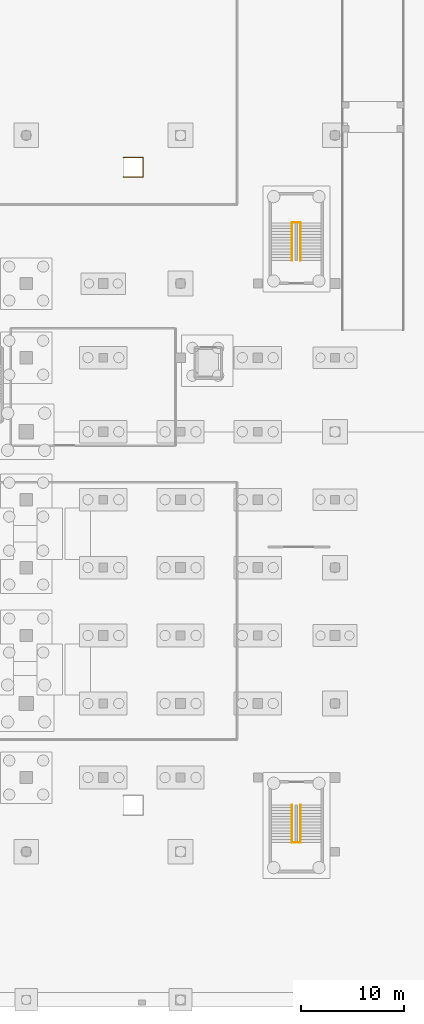
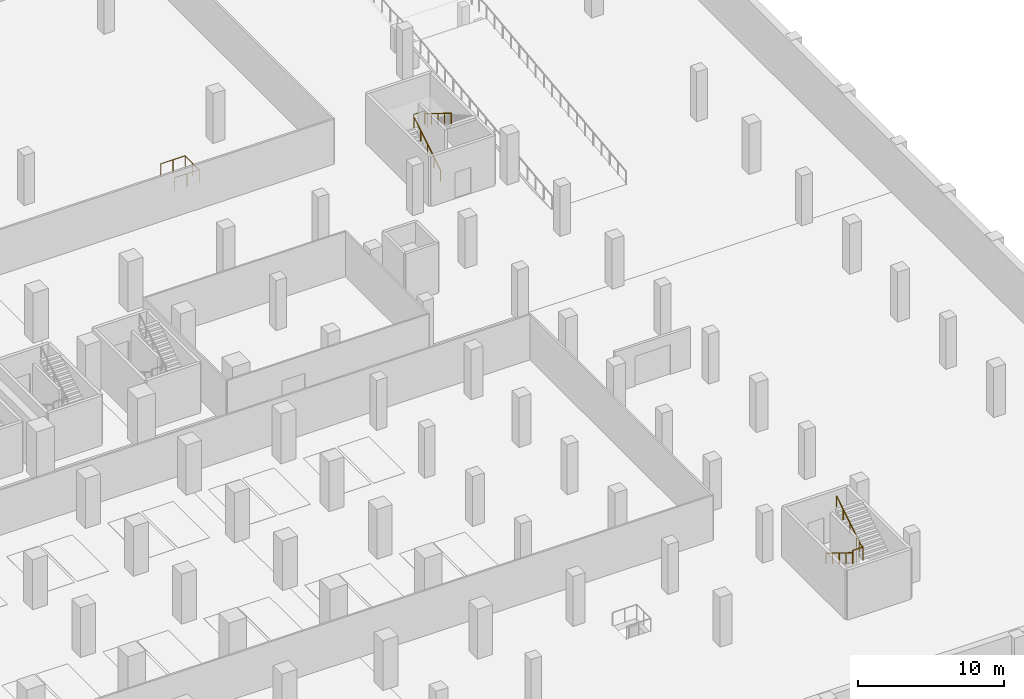
# One storey, part 24 of 26: 7 railings.
"""IFC4 building model written with IfcOpenShell, lengths in metres."""

from ifc_helpers import new_model, si_unit, direction, frame, origin, origin_2d, place, context, subcontext, project, spatial, circle, extrude, material, layer, layer_set, type_object, element, save


model = new_model("IFC4")

# Units and contexts
model_context = context("Model", 3, precision=1e-05, world=origin(), true_north=direction((0.0, 1.0)))
body_context = subcontext(model_context, "Body", "Model", "MODEL_VIEW")
ifc_project = project(units=[si_unit("LENGTHUNIT", "METRE"), si_unit("AREAUNIT", "SQUARE_METRE"), si_unit("VOLUMEUNIT", "CUBIC_METRE"), si_unit("PLANEANGLEUNIT", "RADIAN"), si_unit("MASSUNIT", "GRAM", prefix="KILO")], contexts=[model_context])

# Site, building, storey
site_placement = place(None, origin())
site = spatial("IfcSite", under=ifc_project, at=site_placement, CompositionType="ELEMENT")
building_placement = place(site_placement, origin())
building = spatial("IfcBuilding", under=site, at=building_placement, Name="Akrevak Sports Hall", CompositionType="ELEMENT")
storey_placement = place(building_placement, frame((0.0, 0.0, -9.0)))
storey = spatial("IfcBuildingStorey", under=building, at=storey_placement, Name="B02", CompositionType="ELEMENT", Elevation=-9.0)

# Railings
ifc_material_1 = material(Name="Painted Architectural Balustrade Steel", Category="steel")
ifc_layer_1 = layer(ifc_material_1, 0.06005859375, Name="Painted Architectural Balustrade Steel")
ifc_layer_set_1 = layer_set([ifc_layer_1], Name="Painted Architectural Balustrade Steel")
railing_type_1 = type_object("IfcRailingType", Name="ARC-RL-GRD-1120", PredefinedType="GUARDRAIL", material=ifc_layer_set_1)
railing_1_placement = place(storey_placement, frame((141.330078125, 15.280029296875, 2.25)))
element("IfcRailing", 1, at=railing_1_placement, inside=storey, type_object=railing_type_1, Name="Stair Landing Well Guard ST7-B02-1", PredefinedType="GUARDRAIL", context=body_context, shape_type="SweptSolid", body=[
    extrude(circle(Radius=0.02392578125, at=origin_2d()), frame((0.0, 0.0, 1.09619140625), z_axis=(1.0, 0.0, 0.0), x_axis=(0.0, 1.0, 0.0)), (0.0, 0.0, 1.0), 0.809814453125),
    extrude(circle(Radius=0.02392578125, at=origin_2d()), frame((0.809814453125, 0.0, 1.09619140625), z_axis=(0.0, 1.0, 0.0), x_axis=(-1.0, 0.0, 0.0)), (0.0, 0.0, 1.0), 0.52001953125),
    extrude(circle(Radius=0.02099609375, at=origin_2d()), origin(), (0.0, 0.0, 1.0), 1.072021484375),
    extrude(circle(Radius=0.02099609375, at=origin_2d()), frame((0.809814453125, 0.0, 0.0)), (0.0, 0.0, 1.0), 1.072021484375),
    extrude(circle(Radius=0.02099609375, at=origin_2d()), frame((0.809814453125, 0.52001953125, 0.0)), (0.0, 0.0, 1.0), 1.072021484375),
])
railing_2_placement = place(storey_placement, frame((141.330078125, 75.52001953125, 2.25)))
element("IfcRailing", 2, at=railing_2_placement, inside=storey, type_object=railing_type_1, Name="Stair Landing Well Guard ST8-B02-1", PredefinedType="GUARDRAIL", context=body_context, shape_type="SweptSolid", body=[
    extrude(circle(Radius=0.02392578125, at=origin_2d()), frame((0.0, 0.0, 1.09619140625), z_axis=(1.0, 0.0, 0.0), x_axis=(0.0, 1.0, 0.0)), (0.0, 0.0, 1.0), 0.809814453125),
    extrude(circle(Radius=0.02392578125, at=origin_2d()), frame((0.809814453125, 0.0, 1.09619140625), z_axis=(0.0, -1.0, 0.0), x_axis=(1.0, 0.0, 0.0)), (0.0, 0.0, 1.0), 0.52001953125),
    extrude(circle(Radius=0.02099609375, at=origin_2d()), origin(), (0.0, 0.0, 1.0), 1.072021484375),
    extrude(circle(Radius=0.02099609375, at=origin_2d()), frame((0.809814453125, 0.0, 0.0)), (0.0, 0.0, 1.0), 1.072021484375),
    extrude(circle(Radius=0.02099609375, at=origin_2d()), frame((0.809814453125, -0.52001953125, 0.0)), (0.0, 0.0, 1.0), 1.072021484375),
])
railing_3_placement = place(storey_placement, frame((124.93994140625, 79.93994140625, 0.0)))
element("IfcRailing", 3, at=railing_3_placement, inside=storey, type_object=railing_type_1, Name="B02 Sump Pit Safety Guardrail 6", PredefinedType="GUARDRAIL", context=body_context, shape_type="SweptSolid", body=[
    extrude(circle(Radius=0.02392578125, at=origin_2d()), frame((0.0, 0.0, 1.09619140625), z_axis=(1.0, 0.0, 0.0), x_axis=(0.0, 1.0, 0.0)), (0.0, 0.0, 1.0), 1.920166015625),
    extrude(circle(Radius=0.02392578125, at=origin_2d()), frame((1.920166015625, 0.0, 1.09619140625), z_axis=(0.0, 1.0, 0.0), x_axis=(-1.0, 0.0, 0.0)), (0.0, 0.0, 1.0), 1.920166015625),
    extrude(circle(Radius=0.02392578125, at=origin_2d()), frame((1.920166015625, 1.920166015625, 1.09619140625), z_axis=(-1.0, 0.0, 0.0), x_axis=(0.0, -1.0, 0.0)), (0.0, 0.0, 1.0), 1.920166015625),
    extrude(circle(Radius=0.02099609375, at=origin_2d()), origin(), (0.0, 0.0, 1.0), 1.072021484375),
    extrude(circle(Radius=0.02099609375, at=origin_2d()), frame((0.9599609375, 0.0, 0.0)), (0.0, 0.0, 1.0), 1.072021484375),
    extrude(circle(Radius=0.02099609375, at=origin_2d()), frame((1.920166015625, 0.0, 0.0)), (0.0, 0.0, 1.0), 1.072021484375),
    extrude(circle(Radius=0.02099609375, at=origin_2d()), frame((1.920166015625, 0.9599609375, 0.0)), (0.0, 0.0, 1.0), 1.072021484375),
    extrude(circle(Radius=0.02099609375, at=origin_2d()), frame((1.920166015625, 1.920166015625, 0.0)), (0.0, 0.0, 1.0), 1.072021484375),
    extrude(circle(Radius=0.02099609375, at=origin_2d()), frame((0.9599609375, 1.920166015625, 0.0)), (0.0, 0.0, 1.0), 1.072021484375),
    extrude(circle(Radius=0.02099609375, at=origin_2d()), frame((0.0, 1.920166015625, 0.0)), (0.0, 0.0, 1.0), 1.072021484375),
])
ifc_material_2 = material(Name="Brushed Stainless Steel 304", Category="steel")
ifc_layer_2 = layer(ifc_material_2, 0.050048828125, Name="Brushed Stainless Steel 304")
ifc_layer_set_2 = layer_set([ifc_layer_2], Name="Brushed Stainless Steel 304")
railing_type_2 = type_object("IfcRailingType", Name="ARC-RL-HND-900", PredefinedType="HANDRAIL", material=ifc_layer_set_2)
railing_4_placement = place(storey_placement, frame((141.330078125, 18.949951171875, 0.0)))
element("IfcRailing", 4, at=railing_4_placement, inside=storey, type_object=railing_type_2, Name="Stair Handrail ST7-B02-F1", PredefinedType="HANDRAIL", context=body_context, shape_type="SweptSolid", body=[
    extrude(circle(Radius=0.02392578125, at=origin_2d()), frame((0.0, 0.0, 0.8759765625), z_axis=(0.0, -0.850606632239, 0.525802583857), x_axis=(1.0, 0.0, 0.0)), (0.0, 0.0, 1.0), 4.279052734375),
    extrude(circle(Radius=0.02099609375, at=origin_2d()), origin(), (0.0, 0.0, 1.0), 0.851806640625),
    extrude(circle(Radius=0.02099609375, at=origin_2d()), frame((0.0, -0.909912109375, 0.5625)), (0.0, 0.0, 1.0), 0.851806640625),
    extrude(circle(Radius=0.02099609375, at=origin_2d()), frame((0.0, -1.81982421875, 1.125)), (0.0, 0.0, 1.0), 0.851806640625),
    extrude(circle(Radius=0.02099609375, at=origin_2d()), frame((0.0, -2.72998046875, 1.6875)), (0.0, 0.0, 1.0), 0.851806640625),
    extrude(circle(Radius=0.02099609375, at=origin_2d()), frame((0.0, -3.639892578125, 2.25)), (0.0, 0.0, 1.0), 0.851806640625),
])
for number, where, name in (
    (5, (142.169921875, 15.31005859375, 2.25), "Stair Handrail ST7-B02-F2"),
    (6, (141.330078125, 71.85009765625, 0.0), "Stair Handrail ST8-B02-F1"),
):
    element("IfcRailing", number, at=place(storey_placement, frame(where)), inside=storey, type_object=railing_type_2, Name=name, PredefinedType="HANDRAIL", context=body_context, shape_type="SweptSolid", body=[
        extrude(circle(Radius=0.02392578125, at=origin_2d()), frame((0.0, 0.0, 0.8759765625), z_axis=(0.0, 0.850606632239, 0.525802583857), x_axis=(-1.0, 0.0, 0.0)), (0.0, 0.0, 1.0), 4.279052734375),
        extrude(circle(Radius=0.02099609375, at=origin_2d()), origin(), (0.0, 0.0, 1.0), 0.851806640625),
        extrude(circle(Radius=0.02099609375, at=origin_2d()), frame((0.0, 0.909912109375, 0.5625)), (0.0, 0.0, 1.0), 0.851806640625),
        extrude(circle(Radius=0.02099609375, at=origin_2d()), frame((0.0, 1.81982421875, 1.125)), (0.0, 0.0, 1.0), 0.851806640625),
        extrude(circle(Radius=0.02099609375, at=origin_2d()), frame((0.0, 2.72998046875, 1.6875)), (0.0, 0.0, 1.0), 0.851806640625),
        extrude(circle(Radius=0.02099609375, at=origin_2d()), frame((0.0, 3.639892578125, 2.25)), (0.0, 0.0, 1.0), 0.851806640625),
    ])
railing_5_placement = place(storey_placement, frame((142.169921875, 75.489990234375, 2.25)))
element("IfcRailing", 7, at=railing_5_placement, inside=storey, type_object=railing_type_2, Name="Stair Handrail ST8-B02-F2", PredefinedType="HANDRAIL", context=body_context, shape_type="SweptSolid", body=[
    extrude(circle(Radius=0.02392578125, at=origin_2d()), frame((0.0, 0.0, 0.8759765625), z_axis=(0.0, -0.850606632239, 0.525802583857), x_axis=(1.0, 0.0, 0.0)), (0.0, 0.0, 1.0), 4.279052734375),
    extrude(circle(Radius=0.02099609375, at=origin_2d()), origin(), (0.0, 0.0, 1.0), 0.851806640625),
    extrude(circle(Radius=0.02099609375, at=origin_2d()), frame((0.0, -0.909912109375, 0.5625)), (0.0, 0.0, 1.0), 0.851806640625),
    extrude(circle(Radius=0.02099609375, at=origin_2d()), frame((0.0, -1.81982421875, 1.125)), (0.0, 0.0, 1.0), 0.851806640625),
    extrude(circle(Radius=0.02099609375, at=origin_2d()), frame((0.0, -2.72998046875, 1.6875)), (0.0, 0.0, 1.0), 0.851806640625),
    extrude(circle(Radius=0.02099609375, at=origin_2d()), frame((0.0, -3.639892578125, 2.25)), (0.0, 0.0, 1.0), 0.851806640625),
])

save(model, "model.ifc")
